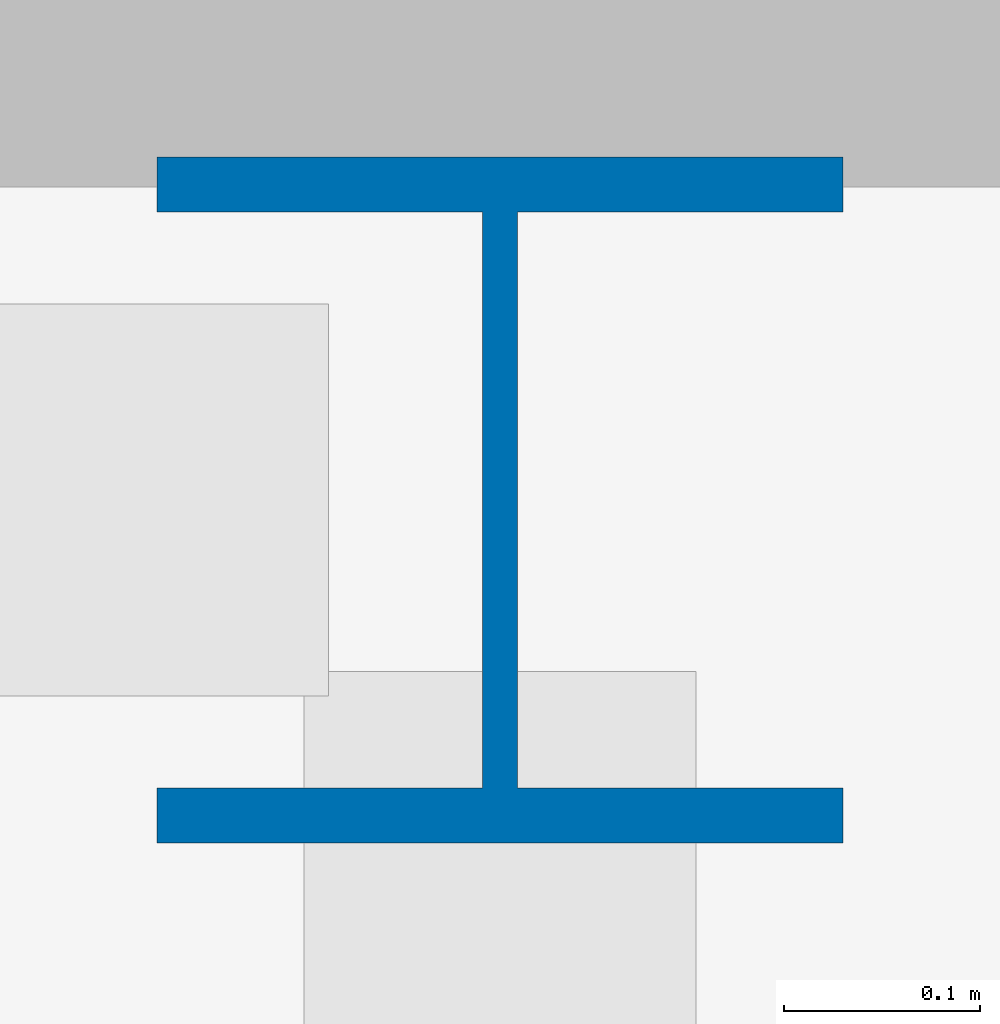
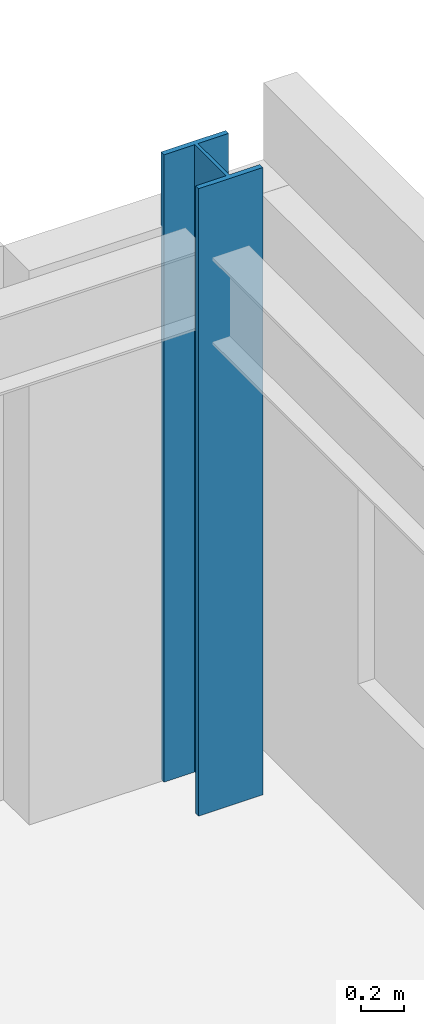
# One storey, part 4 of 26: 1 column.
"""IFC4 building model written with IfcOpenShell, lengths in metres."""

import ifcopenshell
import ifcopenshell.guid

model = None  # the IFC model being written
_history = None  # IfcOwnerHistory: only IFC2X3 demands one
_inside = {}  # id of a spatial element -> (the spatial element, [elements in it])
_under = {}  # id of a project, library or spatial element -> (it, [spatial elements below it])
_declared = {}  # id of a project -> (the project, [libraries it declares])
_typed = {}  # id of a type object -> (the type object, [elements of that type])
_made_of = {}  # id of a material, layer set ... -> (it, [elements and type objects made of it])


def new_model(schema):
    """Start an empty IFC model of exactly this schema.

    Asked for "IFC4X3", IfcOpenShell would pick the latest addendum, in which some entities
    have other attributes; the version numbers below select the first issue.
    IFC2X3 requires an IfcOwnerHistory on every rooted entity: one is made here for all.
    """
    global model, _history
    if schema == "IFC4X3":
        model = ifcopenshell.file(schema_version=(4, 3, 0, 0))
    else:
        model = ifcopenshell.file(schema=schema)
    _inside.clear()
    _under.clear()
    _declared.clear()
    _typed.clear()
    _made_of.clear()
    _history = None
    if model.schema == "IFC2X3":
        org = make("IfcOrganization", Name="unknown")
        user = make(
            "IfcPersonAndOrganization",
            ThePerson=make("IfcPerson", FamilyName="unknown"),
            TheOrganization=org,
        )
        app = make(
            "IfcApplication",
            ApplicationDeveloper=org,
            Version="unknown",
            ApplicationFullName="unknown",
            ApplicationIdentifier="unknown",
        )
        _history = make(
            "IfcOwnerHistory",
            OwningUser=user,
            OwningApplication=app,
            ChangeAction="ADDED",
            CreationDate=0,
        )
    return model


def make(cls, **values):
    """One entity of the class cls with the attributes given. An attribute that is None is left unset."""
    return model.create_entity(
        cls, **{name: value for name, value in values.items() if value is not None}
    )


def rooted(cls, **values):
    """An entity with a GlobalId (a new one), such as an element, a storey or a relation."""
    return make(cls, GlobalId=ifcopenshell.guid.new(), OwnerHistory=_history, **values)


def si_unit(unit_type, name, prefix=None):
    """IfcSIUnit, for example si_unit("LENGTHUNIT", "METRE", prefix="MILLI")."""
    return make("IfcSIUnit", UnitType=unit_type, Prefix=prefix, Name=name)


def assignment(units):
    """IfcUnitAssignment: the units of a project."""
    return None if units is None else make("IfcUnitAssignment", Units=units)


def point(xyz):
    """IfcCartesianPoint."""
    return None if xyz is None else make("IfcCartesianPoint", Coordinates=xyz)


def direction(xyz):
    """IfcDirection."""
    return None if xyz is None else make("IfcDirection", DirectionRatios=xyz)


def frame(location, z_axis=None, x_axis=None):
    """IfcAxis2Placement3D, a coordinate frame: its origin and axes. An axis left out is left unset."""
    return make(
        "IfcAxis2Placement3D",
        Location=point(location),
        Axis=direction(z_axis),
        RefDirection=direction(x_axis),
    )


def frame_2d(location, x_axis=None):
    """IfcAxis2Placement2D, a coordinate frame in the plane: its origin and x axis."""
    return make(
        "IfcAxis2Placement2D", Location=point(location), RefDirection=direction(x_axis)
    )


def origin():
    """The frame at (0, 0, 0) with its axes left unset."""
    return frame((0.0, 0.0, 0.0))


def origin_2d():
    """The frame at (0, 0) in the plane with its x axis left unset."""
    return frame_2d((0.0, 0.0))


def place(relative_to, where):
    """IfcLocalPlacement: puts the frame where relative to a parent placement (None: the world)."""
    return make(
        "IfcLocalPlacement", PlacementRelTo=relative_to, RelativePlacement=where
    )


def context(
    kind, dimensions, precision=None, world=None, true_north=None, identifier=None
):
    """IfcGeometricRepresentationContext, for example the 3D "Model" context."""
    return make(
        "IfcGeometricRepresentationContext",
        ContextIdentifier=identifier,
        ContextType=kind,
        CoordinateSpaceDimension=dimensions,
        Precision=precision,
        WorldCoordinateSystem=world,
        TrueNorth=true_north,
    )


def subcontext(parent, identifier, kind, view, scale=None):
    """IfcGeometricRepresentationSubContext, for example "Body" below "Model"."""
    return make(
        "IfcGeometricRepresentationSubContext",
        ContextIdentifier=identifier,
        ContextType=kind,
        ParentContext=parent,
        TargetScale=scale,
        TargetView=view,
    )


def project(units=None, contexts=None):
    """IfcProject with its units and contexts."""
    return rooted(
        "IfcProject",
        Name="project",
        RepresentationContexts=contexts,
        UnitsInContext=assignment(units),
    )


def spatial(cls, under=None, at=None, **own):
    """A site, building, storey or space (cls), placed at a placement, below another one or the project."""
    s = rooted(cls, ObjectPlacement=at, **own)
    if under is not None:
        _under.setdefault(under.id(), (under, []))[1].append(s)
    return s


def profile(cls, at=None, kind="AREA", **sizes):
    """A parametric profile (cls). Its sizes go by their IFC names, for example OverallWidth=200.0."""
    return make(cls, ProfileType=kind, Position=at, **sizes)


def i_section(**sizes):
    """IfcIShapeProfileDef."""
    return profile("IfcIShapeProfileDef", **sizes)


def extrude(swept, where, along, depth):
    """IfcExtrudedAreaSolid: the profile swept, set in the frame where, extruded along a direction by depth."""
    return make(
        "IfcExtrudedAreaSolid",
        SweptArea=swept,
        Position=where,
        ExtrudedDirection=direction(along),
        Depth=depth,
    )


def shape(context_of_items, identifier, shape_type, items):
    """IfcShapeRepresentation: the items that make up one representation, for example the "Body"."""
    return make(
        "IfcShapeRepresentation",
        ContextOfItems=context_of_items,
        RepresentationIdentifier=identifier,
        RepresentationType=shape_type,
        Items=items,
    )


def source(mapping_origin, context_of_items, identifier, shape_type, items):
    """IfcRepresentationMap: a shape defined once, which mapped items show again and again."""
    return make(
        "IfcRepresentationMap",
        MappingOrigin=mapping_origin,
        MappedRepresentation=shape(context_of_items, identifier, shape_type, items),
    )


def transform(
    local_origin,
    x_axis=None,
    y_axis=None,
    z_axis=None,
    scale=None,
    scale2=None,
    scale3=None,
    uniform=True,
):
    """IfcCartesianTransformationOperator3D, or its non-uniform kind. x_axis, y_axis, z_axis: its Axis1, 2, 3."""
    if uniform:
        return make(
            "IfcCartesianTransformationOperator3D",
            Axis1=direction(x_axis),
            Axis2=direction(y_axis),
            LocalOrigin=point(local_origin),
            Scale=scale,
            Axis3=direction(z_axis),
        )
    return make(
        "IfcCartesianTransformationOperator3DnonUniform",
        Axis1=direction(x_axis),
        Axis2=direction(y_axis),
        LocalOrigin=point(local_origin),
        Scale=scale,
        Axis3=direction(z_axis),
        Scale2=scale2,
        Scale3=scale3,
    )


def mapped(mapping_source, mapping_target):
    """IfcMappedItem: shows the shape of a source again, moved by a transform."""
    return make(
        "IfcMappedItem", MappingSource=mapping_source, MappingTarget=mapping_target
    )


def material(Name=None, Category=None):
    """IfcMaterial."""
    return make("IfcMaterial", Name=Name, Category=Category)


def material_profile(
    of_material, cross_section, Name=None, Category=None, Priority=None
):
    """IfcMaterialProfile: a cross section and its material."""
    return make(
        "IfcMaterialProfile",
        Name=Name,
        Material=of_material,
        Profile=cross_section,
        Priority=Priority,
        Category=Category,
    )


def profile_set(profiles, Name=None, composite=None):
    """IfcMaterialProfileSet."""
    return make(
        "IfcMaterialProfileSet",
        Name=Name,
        MaterialProfiles=profiles,
        CompositeProfile=composite,
    )


def made_of(thing, what):
    """Note that an element or type object is made of a material, layer set ...; save() writes the relation."""
    if what is not None:
        _made_of.setdefault(what.id(), (what, []))[1].append(thing)
    return thing


def type_object(cls, material=None, **own):
    """A type object (cls), such as IfcWallType, which elements share."""
    return made_of(rooted(cls, **own), material)


def element(
    cls,
    number,
    at=None,
    inside=None,
    cuts=None,
    type_object=None,
    material=None,
    context=None,
    identifier="Body",
    shape_type=None,
    held_by="IfcProductDefinitionShape",
    body=None,
    shapes=None,
    **own,
):
    """One element of the class cls, such as IfcWall. Its Tag is "e" and its number.

    at: its placement. inside: the storey or other place that contains it. cuts: it is an
    opening in that element (IfcRelVoidsElement). A single representation is given by context,
    identifier, shape_type and body (its items); several are given by shapes. held_by: the class
    of the entity that holds the representations. save() writes the other relations.
    """
    e = rooted(cls, Tag="e%d" % number, ObjectPlacement=at, **own)
    if body is not None:
        shapes = [shape(context, identifier, shape_type, body)]
    if shapes is not None:
        e.Representation = make(held_by, Representations=shapes)
    if inside is not None:
        _inside.setdefault(inside.id(), (inside, []))[1].append(e)
    if cuts is not None:
        rooted(
            "IfcRelVoidsElement", RelatingBuildingElement=cuts, RelatedOpeningElement=e
        )
    if type_object is not None:
        _typed.setdefault(type_object.id(), (type_object, []))[1].append(e)
    return made_of(e, material)


def aggregate(whole, parts):
    """IfcRelAggregates: a whole, such as a stair, and the parts it consists of."""
    return rooted("IfcRelAggregates", RelatingObject=whole, RelatedObjects=parts)


def save(model, path):
    """Write the relations noted so far, then the file.

    IfcRelAggregates (storeys below a building ...), IfcRelContainedInSpatialStructure (elements
    in a storey), IfcRelDefinesByType, IfcRelAssociatesMaterial and IfcRelDeclares: one each for
    every whole, place, type object, material and project.
    """
    for whole, parts in _under.values():
        aggregate(whole, parts)
    for where, things in _inside.values():
        rooted(
            "IfcRelContainedInSpatialStructure",
            RelatedElements=things,
            RelatingStructure=where,
        )
    for kind, things in _typed.values():
        rooted("IfcRelDefinesByType", RelatedObjects=things, RelatingType=kind)
    for what, things in _made_of.values():
        rooted("IfcRelAssociatesMaterial", RelatedObjects=things, RelatingMaterial=what)
    for by, libraries in _declared.values():
        rooted("IfcRelDeclares", RelatingContext=by, RelatedDefinitions=libraries)
    model.write(path)


model = new_model("IFC4")

# Units and contexts
model_context = context("Model", 3, precision=1e-05, world=origin(), true_north=direction((0.0, 1.0)))
body_context = subcontext(model_context, "Body", "Model", "MODEL_VIEW")
ifc_project = project(units=[si_unit("LENGTHUNIT", "METRE"), si_unit("AREAUNIT", "SQUARE_METRE"), si_unit("VOLUMEUNIT", "CUBIC_METRE"), si_unit("PLANEANGLEUNIT", "RADIAN"), si_unit("MASSUNIT", "GRAM", prefix="KILO")], contexts=[model_context])

# Site, building, storey
site_placement = place(None, origin())
site = spatial("IfcSite", under=ifc_project, at=site_placement, CompositionType="ELEMENT")
building_placement = place(site_placement, origin())
building = spatial("IfcBuilding", under=site, at=building_placement, Name="Trelvane Seafront Commons", CompositionType="ELEMENT")
storey_placement = place(building_placement, frame((0.0, 0.0, 291.89990234375)))
storey = spatial("IfcBuildingStorey", under=building, at=storey_placement, Name="L76", CompositionType="ELEMENT", Elevation=291.89990234375)

# Column
ifc_material = material(Name="Steel SM355 (S355)", Category="steel")
ifc_material_profile = material_profile(ifc_material, i_section(OverallWidth=0.35009765625, OverallDepth=0.35009765625, WebThickness=0.01806640625, FlangeThickness=0.028076171875, at=origin_2d()), Name="HD-350x350x18x28")
ifc_profile_set = profile_set([ifc_material_profile], Name="Steel SM355 (S355)")
column_type = type_object("IfcColumnType", Name="STR-COL-HD350", PredefinedType="COLUMN", material=ifc_profile_set)
shared_shape = source(origin(), body_context, "Body", "SweptSolid", [
    extrude(i_section(OverallWidth=0.35009765625, OverallDepth=0.35009765625, WebThickness=0.01806640625, FlangeThickness=0.028076171875, at=origin_2d()), origin(), (0.0, 0.0, 1.0), 3.60009765625),
])
column_placement = place(storey_placement, frame((65.60009765625, 45.10009765625, 0.0), z_axis=(0.0, 0.0, 1.0), x_axis=(1.0, 0.0, 0.0)))
element("IfcColumn", 1, at=column_placement, inside=storey, type_object=column_type, Name="L76 Column TC-CN65.6", PredefinedType="COLUMN", context=body_context, shape_type="MappedRepresentation", body=[
    mapped(shared_shape, transform((0.0, 0.0, 0.0), x_axis=(1.0, 0.0, 0.0), y_axis=(0.0, 1.0, 0.0), z_axis=(0.0, 0.0, 1.0), scale=1.0)),
])

save(model, "model.ifc")
